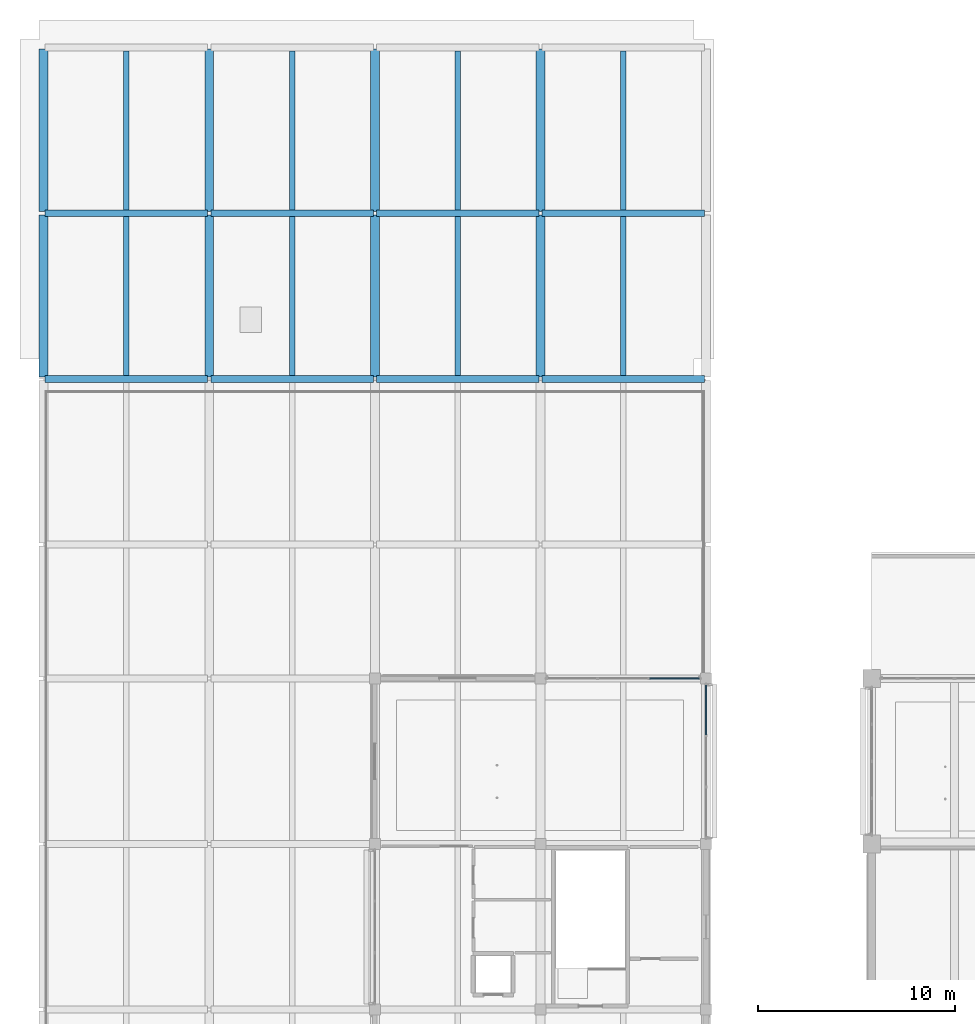
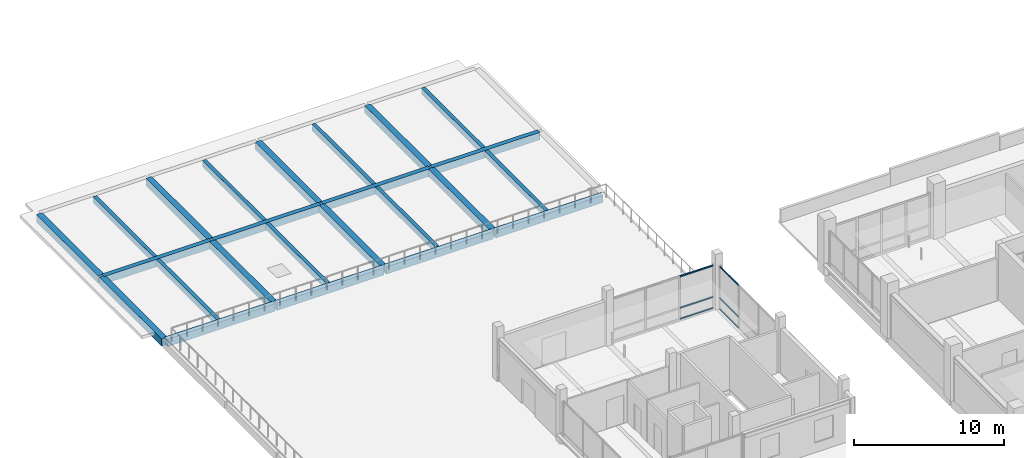
# One storey, part 10 of 59: 24 beams, 6 members, 2 elements without a shape of their own.
"""IFC4 building model written with IfcOpenShell, lengths in metres."""

from ifc_helpers import new_model, si_unit, direction, frame, origin, origin_2d, place, context, subcontext, project, spatial, rectangle, extrude, material, layer, layer_set, material_profile, profile_set, type_object, element, aggregate, save


model = new_model("IFC4")

# Units and contexts
model_context = context("Model", 3, precision=1e-05, world=origin(), true_north=direction((0.0, 1.0)))
body_context = subcontext(model_context, "Body", "Model", "MODEL_VIEW")
ifc_project = project(units=[si_unit("LENGTHUNIT", "METRE"), si_unit("AREAUNIT", "SQUARE_METRE"), si_unit("VOLUMEUNIT", "CUBIC_METRE"), si_unit("PLANEANGLEUNIT", "RADIAN"), si_unit("MASSUNIT", "GRAM", prefix="KILO")], contexts=[model_context])

# Site, building, storey
site_placement = place(None, origin())
site = spatial("IfcSite", under=ifc_project, at=site_placement, CompositionType="ELEMENT")
building_placement = place(site_placement, origin())
building = spatial("IfcBuilding", under=site, at=building_placement, Name="Telukmera Botanical Conservatory", CompositionType="ELEMENT")
storey_placement = place(building_placement, frame((0.0, 0.0, 15.0)))
storey = spatial("IfcBuildingStorey", under=building, at=storey_placement, Name="L03", CompositionType="ELEMENT", Elevation=15.0)

# Beams
ifc_material_1 = material(Name="Concrete C40/50", Category="concrete")
ifc_material_profile_1 = material_profile(ifc_material_1, rectangle(XDim=0.449951171875, YDim=0.60009765625, at=origin_2d()), Name="RC 450x600")
ifc_profile_set_1 = profile_set([ifc_material_profile_1], Name="Concrete C40/50")
beam_type_1 = type_object("IfcBeamType", Name="Beam_B17", PredefinedType="BEAM", material=ifc_profile_set_1)
for number, where, z_axis, x_axis, name in (
    (1, (8.39990234375, 58.080078125, -0.300048828125), (0.0, 1.0, 0.0), (-1.0, 0.0, 0.0), "Visitor Wing Transverse Beam L03"),
    (2, (8.39990234375, 66.47998046875, -0.300048828125), (0.0, 1.0, 0.0), (-1.0, 0.0, 0.0), "Visitor Wing Transverse Beam L03"),
    (3, (16.800048828125, 58.080078125, -0.300048828125), (0.0, 1.0, 0.0), (-1.0, 0.0, 0.0), "Visitor Wing Transverse Beam L03"),
    (4, (16.800048828125, 66.47998046875, -0.300048828125), (0.0, 1.0, 0.0), (-1.0, 0.0, 0.0), "Visitor Wing Transverse Beam L03"),
    (5, (25.199951171875, 58.080078125, -0.300048828125), (0.0, 1.0, 0.0), (-1.0, 0.0, 0.0), "Visitor Wing Transverse Beam L03"),
    (6, (25.199951171875, 66.47998046875, -0.300048828125), (0.0, 1.0, 0.0), (-1.0, 0.0, 0.0), "Visitor Wing Transverse Beam L03"),
    (7, (33.60009765625, 58.080078125, -0.300048828125), (0.0, 1.0, 0.0), (-1.0, 0.0, 0.0), "Visitor Wing Transverse Beam L03"),
    (8, (33.60009765625, 66.47998046875, -0.300048828125), (0.0, 1.0, 0.0), (-1.0, 0.0, 0.0), "Visitor Wing Transverse Beam L03"),
):
    element("IfcBeam", number, at=place(storey_placement, frame(where, z_axis=z_axis, x_axis=x_axis)), inside=storey, type_object=beam_type_1, Name=name, PredefinedType="BEAM", context=body_context, shape_type="SweptSolid", body=[
        extrude(rectangle(XDim=0.449951171875, YDim=0.60009765625, at=origin_2d()), origin(), (0.0, 0.0, 1.0), 8.239990234375),
    ])
ifc_material_profile_2 = material_profile(ifc_material_1, rectangle(XDim=0.280029296875, YDim=0.5, at=origin_2d()), Name="RC 280x500")
ifc_profile_set_2 = profile_set([ifc_material_profile_2], Name="Concrete C40/50")
beam_type_2 = type_object("IfcBeamType", Name="Beam_B26", PredefinedType="JOIST", material=ifc_profile_set_2)
for number, where, z_axis, x_axis, name in (
    (9, (12.60009765625, 58.175048828125, -0.25), (0.0, 1.0, 0.0), (-1.0, 0.0, 0.0), "Visitor Wing Floor Joist L03"),
    (10, (12.60009765625, 66.574951171875, -0.25), (0.0, 1.0, 0.0), (-1.0, 0.0, 0.0), "Visitor Wing Floor Joist L03"),
    (11, (21.0, 58.175048828125, -0.25), (0.0, 1.0, 0.0), (-1.0, 0.0, 0.0), "Visitor Wing Floor Joist L03"),
    (12, (21.0, 66.574951171875, -0.25), (0.0, 1.0, 0.0), (-1.0, 0.0, 0.0), "Visitor Wing Floor Joist L03"),
    (13, (29.39990234375, 58.175048828125, -0.25), (0.0, 1.0, 0.0), (-1.0, 0.0, 0.0), "Visitor Wing Floor Joist L03"),
    (14, (29.39990234375, 66.574951171875, -0.25), (0.0, 1.0, 0.0), (-1.0, 0.0, 0.0), "Visitor Wing Floor Joist L03"),
    (15, (37.800048828125, 58.175048828125, -0.25), (0.0, 1.0, 0.0), (-1.0, 0.0, 0.0), "Visitor Wing Floor Joist L03"),
    (16, (37.800048828125, 66.574951171875, -0.25), (0.0, 1.0, 0.0), (-1.0, 0.0, 0.0), "Visitor Wing Floor Joist L03"),
):
    element("IfcBeam", number, at=place(storey_placement, frame(where, z_axis=z_axis, x_axis=x_axis)), inside=storey, type_object=beam_type_2, Name=name, PredefinedType="JOIST", context=body_context, shape_type="SweptSolid", body=[
        extrude(rectangle(XDim=0.280029296875, YDim=0.5, at=origin_2d()), origin(), (0.0, 0.0, 1.0), 8.050048828125),
    ])
ifc_material_profile_3 = material_profile(ifc_material_1, rectangle(XDim=0.35009765625, YDim=0.60009765625, at=origin_2d()), Name="RC 350x600")
ifc_profile_set_3 = profile_set([ifc_material_profile_3], Name="Concrete C40/50")
beam_type_3 = type_object("IfcBeamType", Name="Beam_B9", PredefinedType="BEAM", material=ifc_profile_set_3)
beam_1_placement = place(storey_placement, frame((8.47998046875, 58.0, -0.300048828125), z_axis=(1.0, 0.0, 0.0), x_axis=(0.0, 1.0, 0.0)))
element("IfcBeam", 17, at=beam_1_placement, inside=storey, type_object=beam_type_3, Name="Visitor Wing Grid Beam L03", PredefinedType="BEAM", context=body_context, shape_type="SweptSolid", body=[
    extrude(rectangle(XDim=0.35009765625, YDim=0.60009765625, at=origin_2d()), origin(), (0.0, 0.0, 1.0), 8.239990234375),
])
beam_2_placement = place(storey_placement, frame((16.8798828125, 58.0, -0.300048828125), z_axis=(1.0, 0.0, 0.0), x_axis=(0.0, 1.0, 0.0)))
element("IfcBeam", 18, at=beam_2_placement, inside=storey, type_object=beam_type_3, Name="Visitor Wing Grid Beam L03", PredefinedType="BEAM", context=body_context, shape_type="SweptSolid", body=[
    extrude(rectangle(XDim=0.35009765625, YDim=0.60009765625, at=origin_2d()), origin(), (0.0, 0.0, 1.0), 8.240234375),
])
for number, where, z_axis, x_axis, name in (
    (19, (25.280029296875, 58.0, -0.300048828125), (1.0, 0.0, 0.0), (0.0, 1.0, 0.0), "Visitor Wing Grid Beam L03"),
    (20, (33.679931640625, 58.0, -0.300048828125), (1.0, 0.0, 0.0), (0.0, 1.0, 0.0), "Visitor Wing Grid Beam L03"),
    (21, (8.47998046875, 66.39990234375, -0.300048828125), (1.0, 0.0, 0.0), (0.0, 1.0, 0.0), "Visitor Wing Grid Beam L03"),
):
    element("IfcBeam", number, at=place(storey_placement, frame(where, z_axis=z_axis, x_axis=x_axis)), inside=storey, type_object=beam_type_3, Name=name, PredefinedType="BEAM", context=body_context, shape_type="SweptSolid", body=[
        extrude(rectangle(XDim=0.35009765625, YDim=0.60009765625, at=origin_2d()), origin(), (0.0, 0.0, 1.0), 8.239990234375),
    ])
beam_3_placement = place(storey_placement, frame((16.8798828125, 66.39990234375, -0.300048828125), z_axis=(1.0, 0.0, 0.0), x_axis=(0.0, 1.0, 0.0)))
element("IfcBeam", 22, at=beam_3_placement, inside=storey, type_object=beam_type_3, Name="Visitor Wing Grid Beam L03", PredefinedType="BEAM", context=body_context, shape_type="SweptSolid", body=[
    extrude(rectangle(XDim=0.35009765625, YDim=0.60009765625, at=origin_2d()), origin(), (0.0, 0.0, 1.0), 8.240234375),
])
for number, where, z_axis, x_axis, name in (
    (23, (25.280029296875, 66.39990234375, -0.300048828125), (1.0, 0.0, 0.0), (0.0, 1.0, 0.0), "Visitor Wing Grid Beam L03"),
    (24, (33.679931640625, 66.39990234375, -0.300048828125), (1.0, 0.0, 0.0), (0.0, 1.0, 0.0), "Visitor Wing Grid Beam L03"),
):
    element("IfcBeam", number, at=place(storey_placement, frame(where, z_axis=z_axis, x_axis=x_axis)), inside=storey, type_object=beam_type_3, Name=name, PredefinedType="BEAM", context=body_context, shape_type="SweptSolid", body=[
        extrude(rectangle(XDim=0.35009765625, YDim=0.60009765625, at=origin_2d()), origin(), (0.0, 0.0, 1.0), 8.239990234375),
    ])

# Curtain wall, members
ifc_material_2 = material(Name="Anodised aluminium 6063-T6", Category="aluminium")
ifc_layer = layer(ifc_material_2, 0.179931640625)
ifc_layer_set = layer_set([ifc_layer], Name="Anodised aluminium 6063-T6")
curtain_wall_type = type_object("IfcCurtainWallType", Name="Visitor Rooftop Lounge Terrace Curtain Wall", PredefinedType="USERDEFINED", material=ifc_layer_set)
curtain_wall_1_placement = place(storey_placement, origin())
curtain_wall_1 = element("IfcCurtainWall", 25, at=curtain_wall_1_placement, inside=storey, type_object=curtain_wall_type, Name="Unitised Curtain Wall CW11 V3:L03:N2", ObjectType="UNITISED CURTAIN WALL", PredefinedType="USERDEFINED")
ifc_material_profile_4 = material_profile(ifc_material_2, rectangle(XDim=0.06005859375, YDim=0.110107421875, at=origin_2d()), Name="ALU TRAN 60x110")
ifc_profile_set_4 = profile_set([ifc_material_profile_4], Name="Anodised aluminium 6063-T6")
member_type = type_object("IfcMemberType", Name="Curtain Wall Extruded Transom 60x110", PredefinedType="USERDEFINED", material=ifc_profile_set_4)
member_1_placement = place(storey_placement, frame((39.1376953125, 42.800048828125, 0.054931640625), z_axis=(1.0, 0.0, 0.0), x_axis=(0.0, 1.0, 0.0)))
member_1 = element("IfcMember", 26, at=member_1_placement, type_object=member_type, Name="CW11 transom 3.1", ObjectType="TRANSOM", PredefinedType="USERDEFINED", context=body_context, shape_type="SweptSolid", body=[
    extrude(rectangle(XDim=0.06005859375, YDim=0.110107421875, at=origin_2d()), origin(), (0.0, 0.0, 1.0), 2.525390625),
])
member_2_placement = place(storey_placement, frame((39.1376953125, 42.800048828125, 0.949951171875), z_axis=(1.0, 0.0, 0.0), x_axis=(0.0, 1.0, 0.0)))
member_2 = element("IfcMember", 27, at=member_2_placement, type_object=member_type, Name="CW11 transom 3.2", ObjectType="TRANSOM", PredefinedType="USERDEFINED", context=body_context, shape_type="SweptSolid", body=[
    extrude(rectangle(XDim=0.06005859375, YDim=0.110107421875, at=origin_2d()), origin(), (0.0, 0.0, 1.0), 2.525390625),
])
member_3_placement = place(storey_placement, frame((39.1376953125, 42.800048828125, 3.4951171875), z_axis=(1.0, 0.0, 0.0), x_axis=(0.0, 1.0, 0.0)))
member_3 = element("IfcMember", 28, at=member_3_placement, type_object=member_type, Name="CW11 transom 3.3", ObjectType="TRANSOM", PredefinedType="USERDEFINED", context=body_context, shape_type="SweptSolid", body=[
    extrude(rectangle(XDim=0.06005859375, YDim=0.110107421875, at=origin_2d()), origin(), (0.0, 0.0, 1.0), 2.525390625),
])
aggregate(curtain_wall_1, [member_1, member_2, member_3])

curtain_wall_2_placement = place(storey_placement, origin())
curtain_wall_2 = element("IfcCurtainWall", 29, at=curtain_wall_2_placement, inside=storey, type_object=curtain_wall_type, Name="Unitised Curtain Wall CW11 V3:L03:E2", ObjectType="UNITISED CURTAIN WALL", PredefinedType="USERDEFINED")
member_4_placement = place(storey_placement, frame((42.0, 39.937744140625, 0.054931640625), z_axis=(0.0, 1.0, 0.0), x_axis=(-1.0, 0.0, 0.0)))
member_4 = element("IfcMember", 30, at=member_4_placement, type_object=member_type, Name="CW11 transom 3.1", ObjectType="TRANSOM", PredefinedType="USERDEFINED", context=body_context, shape_type="SweptSolid", body=[
    extrude(rectangle(XDim=0.06005859375, YDim=0.110107421875, at=origin_2d()), origin(), (0.0, 0.0, 1.0), 2.525146484375),
])
member_5_placement = place(storey_placement, frame((42.0, 39.937744140625, 0.949951171875), z_axis=(0.0, 1.0, 0.0), x_axis=(-1.0, 0.0, 0.0)))
member_5 = element("IfcMember", 31, at=member_5_placement, type_object=member_type, Name="CW11 transom 3.2", ObjectType="TRANSOM", PredefinedType="USERDEFINED", context=body_context, shape_type="SweptSolid", body=[
    extrude(rectangle(XDim=0.06005859375, YDim=0.110107421875, at=origin_2d()), origin(), (0.0, 0.0, 1.0), 2.525146484375),
])
member_6_placement = place(storey_placement, frame((42.0, 39.937744140625, 3.4951171875), z_axis=(0.0, 1.0, 0.0), x_axis=(-1.0, 0.0, 0.0)))
member_6 = element("IfcMember", 32, at=member_6_placement, type_object=member_type, Name="CW11 transom 3.3", ObjectType="TRANSOM", PredefinedType="USERDEFINED", context=body_context, shape_type="SweptSolid", body=[
    extrude(rectangle(XDim=0.06005859375, YDim=0.110107421875, at=origin_2d()), origin(), (0.0, 0.0, 1.0), 2.525146484375),
])
aggregate(curtain_wall_2, [member_4, member_5, member_6])

save(model, "model.ifc")
